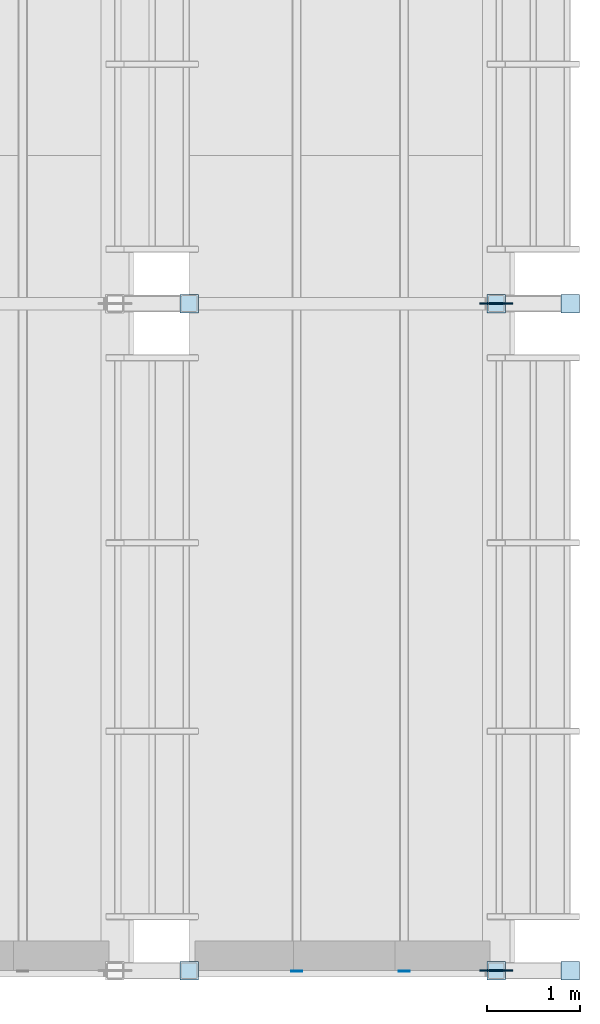
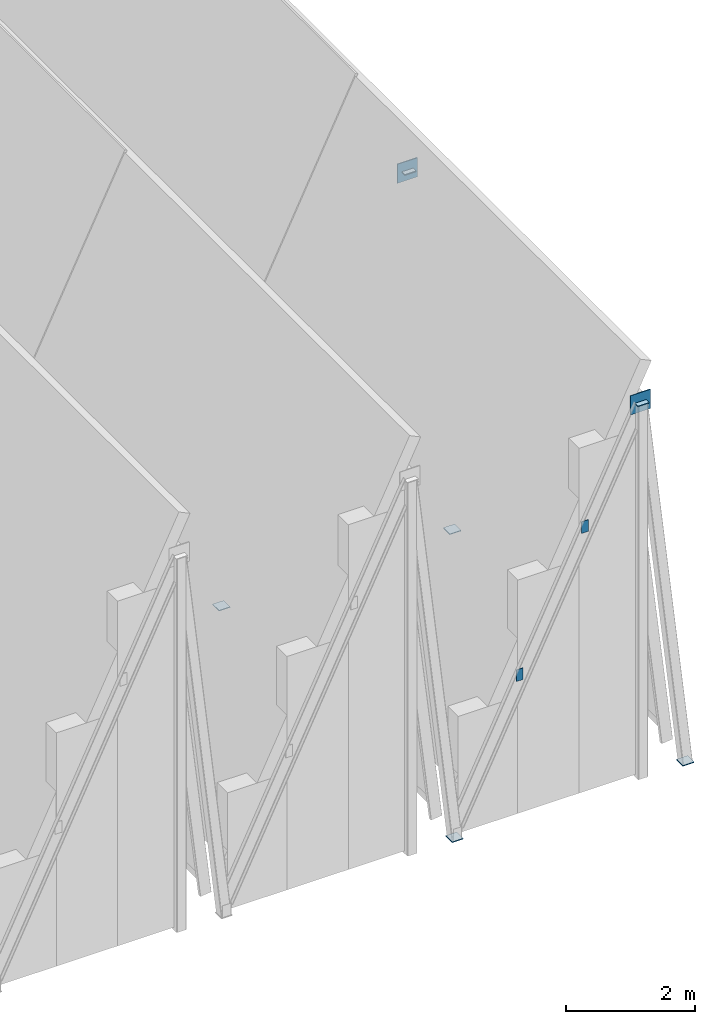
# One storey, part 22 of 28: 10 plates.
"""IFC4 building model written with IfcOpenShell, lengths in metres."""

from ifc_helpers import new_model, si_unit, direction, frame, origin, origin_2d, place, context, subcontext, project, spatial, rectangle, extrude, material, layer, layer_set, type_object, element, save


model = new_model("IFC4")

# Units and contexts
model_context = context("Model", 3, precision=1e-05, world=origin(), true_north=direction((0.0, 1.0)))
body_context = subcontext(model_context, "Body", "Model", "MODEL_VIEW")
ifc_project = project(units=[si_unit("LENGTHUNIT", "METRE"), si_unit("AREAUNIT", "SQUARE_METRE"), si_unit("VOLUMEUNIT", "CUBIC_METRE"), si_unit("PLANEANGLEUNIT", "RADIAN"), si_unit("MASSUNIT", "GRAM", prefix="KILO")], contexts=[model_context])

# Site, building, storey
site_placement = place(None, origin())
site = spatial("IfcSite", under=ifc_project, at=site_placement, CompositionType="ELEMENT")
building_placement = place(site_placement, origin())
building = spatial("IfcBuilding", under=site, at=building_placement, Name="Bramveld Media Centre", CompositionType="ELEMENT")
storey_placement = place(building_placement, frame((0.0, 0.0, 33.89990234375)))
storey = spatial("IfcBuildingStorey", under=building, at=storey_placement, Name="ROOF", CompositionType="ELEMENT", Elevation=33.89990234375)

# Plates
ifc_material_1 = material(Name="Steel S355J2", Category="steel")
ifc_layer_1 = layer(ifc_material_1, 0.010009765625)
ifc_layer_set_1 = layer_set([ifc_layer_1], Name="Steel S355J2")
plate_type_1 = type_object("IfcPlateType", Name="PLT-CAP-10", PredefinedType="USERDEFINED", material=ifc_layer_set_1)
for number, where, z_axis, x_axis, name in (
    (1, (157.045654296875, 83.2001953125, 2.61083984375), (0.0, -1.0, 0.0), (1.0, 0.0, 0.0), "Hollow section end cap plate CAP-CPURL-B07-35-S"),
    (2, (158.205810546875, 83.2001953125, 4.997802734375), (0.0, -1.0, 0.0), (1.0, 0.0, 0.0), "Hollow section end cap plate CAP-CPURL-B07-70-S"),
):
    element("IfcPlate", number, at=place(storey_placement, frame(where, z_axis=z_axis, x_axis=x_axis)), inside=storey, type_object=plate_type_1, Name=name, ObjectType="CAP PLATE", PredefinedType="USERDEFINED", context=body_context, shape_type="SweptSolid", body=[
        extrude(rectangle(XDim=0.1201171875, YDim=0.219970703125, at=origin_2d()), origin(), (0.0, 0.0, 1.0), 0.010009765625),
    ])
ifc_material_2 = material(Name="Steel S355J2", Category="steel")
ifc_layer_2 = layer(ifc_material_2, 0.013916015625)
ifc_layer_set_2 = layer_set([ifc_layer_2], Name="Steel S355J2")
plate_type_2 = type_object("IfcPlateType", Name="PLT-CAP-14", PredefinedType="USERDEFINED", material=ifc_layer_set_2)
for number, where, z_axis, x_axis, name in (
    (3, (155.886474609375, 83.199951171875, -0.0498046875), (0.0, 0.0, -1.0), (1.0, 0.0, 0.0), "Hollow section end cap plate CAP-CRN-FR-B06-F1-R"),
    (4, (155.886474609375, 90.39990234375, -0.0498046875), (0.0, 0.0, -1.0), (1.0, 0.0, 0.0), "Hollow section end cap plate CAP-CRN-FR-B06-F2-R"),
    (5, (159.19921875, 83.199951171875, 6.99462890625), (0.0, 0.0, 1.0), (1.0, 0.0, 0.0), "Hollow section end cap plate CAP-CRN-FR-B07-F1"),
    (6, (160.000732421875, 83.199951171875, -0.0498046875), (0.0, 0.0, -1.0), (1.0, 0.0, 0.0), "Hollow section end cap plate CAP-CRN-FR-B07-F1-R"),
    (7, (159.19921875, 90.39990234375, 6.99462890625), (0.0, 0.0, 1.0), (1.0, 0.0, 0.0), "Hollow section end cap plate CAP-CRN-FR-B07-F2"),
    (8, (160.000732421875, 90.39990234375, -0.0498046875), (0.0, 0.0, -1.0), (1.0, 0.0, 0.0), "Hollow section end cap plate CAP-CRN-FR-B07-F2-R"),
):
    element("IfcPlate", number, at=place(storey_placement, frame(where, z_axis=z_axis, x_axis=x_axis)), inside=storey, type_object=plate_type_2, Name=name, ObjectType="CAP PLATE", PredefinedType="USERDEFINED", context=body_context, shape_type="SweptSolid", body=[
        extrude(rectangle(XDim=0.199951171875, YDim=0.199951171875, at=origin_2d()), origin(), (0.0, 0.0, 1.0), 0.013916015625),
    ])
ifc_material_3 = material(Name="Steel S355J2", Category="steel")
ifc_layer_3 = layer(ifc_material_3, 0.01611328125)
ifc_layer_set_3 = layer_set([ifc_layer_3], Name="Steel S355J2")
plate_type_3 = type_object("IfcPlateType", Name="PLT-GUSSET-CRN16", PredefinedType="USERDEFINED", material=ifc_layer_set_3)
for number, where, z_axis, x_axis, name in (
    (9, (159.199951171875, 83.199951171875, 6.81494140625), (0.0, 0.0, 1.0), (1.0, 0.0, 0.0), "CRN-FR-B07-F1 ridge gusset plate"),
    (10, (159.199951171875, 90.39990234375, 6.81494140625), (0.0, 0.0, 1.0), (1.0, 0.0, 0.0), "CRN-FR-B07-F2 ridge gusset plate"),
):
    element("IfcPlate", number, at=place(storey_placement, frame(where, z_axis=z_axis, x_axis=x_axis)), inside=storey, type_object=plate_type_3, Name=name, ObjectType="GUSSET PLATE", PredefinedType="USERDEFINED", context=body_context, shape_type="SweptSolid", body=[
        extrude(rectangle(XDim=0.360107421875, YDim=0.01611328125, at=origin_2d()), origin(), (0.0, 0.0, 1.0), 0.360107421875),
    ])

save(model, "model.ifc")
